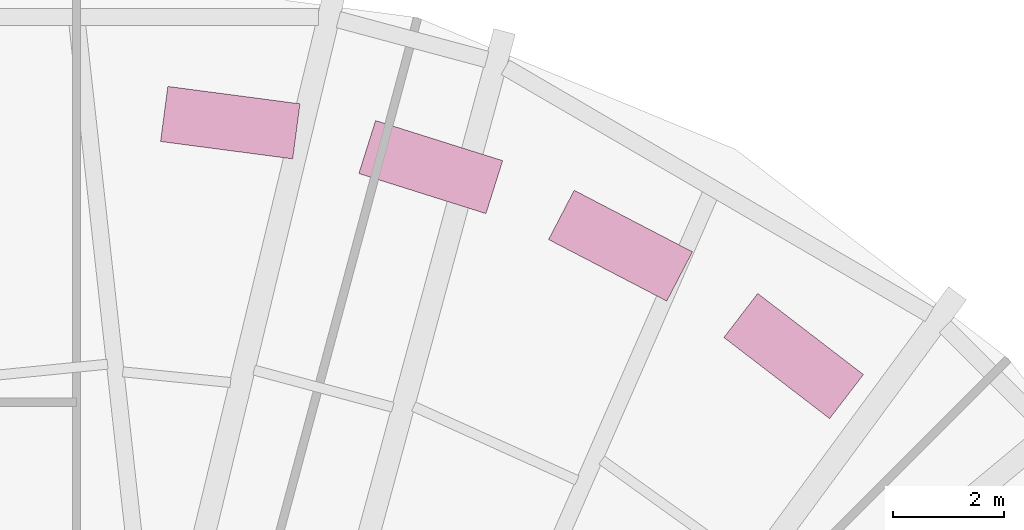
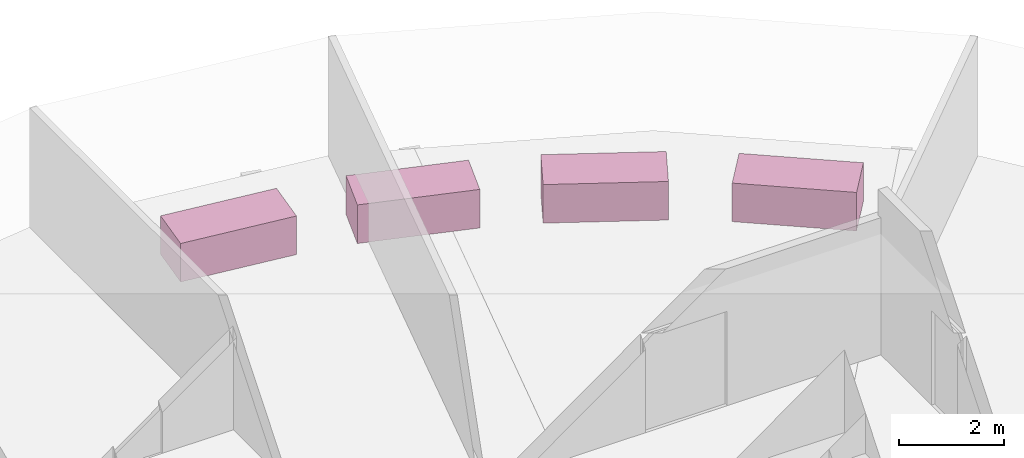
# One storey, part 7 of 7: 4 furniture elements.
"""IFC4 building model written with IfcOpenShell, lengths in metres."""

from ifc_helpers import new_model, si_unit, direction, frame, origin, origin_2d, place, context, subcontext, project, spatial, rectangle, extrude, element, save


model = new_model("IFC4")

# Units and contexts
model_context = context("Model", 3, precision=1e-05, world=origin(), true_north=direction((0.0, 1.0)))
body_context = subcontext(model_context, "Body", "Model", "MODEL_VIEW")
ifc_project = project(units=[si_unit("LENGTHUNIT", "METRE"), si_unit("AREAUNIT", "SQUARE_METRE"), si_unit("VOLUMEUNIT", "CUBIC_METRE"), si_unit("PLANEANGLEUNIT", "RADIAN"), si_unit("MASSUNIT", "GRAM", prefix="KILO")], contexts=[model_context])

# Site, building, storey
site_placement = place(None, origin())
site = spatial("IfcSite", under=ifc_project, at=site_placement, CompositionType="ELEMENT")
building_placement = place(site_placement, origin())
building = spatial("IfcBuilding", under=site, at=building_placement, Name="Golbaran Civic Tower", CompositionType="ELEMENT")
storey_placement = place(building_placement, frame((0.0, 0.0, 65.0)))
storey = spatial("IfcBuildingStorey", under=building, at=storey_placement, Name="L15", CompositionType="ELEMENT", Elevation=65.0)

# Furniture
for number, where, z_axis, x_axis, name in (
    (1, (12.916015625, 16.83251953125, 0.0), (0.0, 0.0, 1.0), (-0.793353340291, 0.608761429009, 0.0), "Sky garden planter L15-1"),
    (2, (9.796875, 18.81982421875, 0.0), (0.0, 0.0, 1.0), (-0.887010833178, 0.461748613235, 0.0), "Sky garden planter L15-2"),
    (3, (6.380126953125, 20.235107421875, 0.0), (0.0, 0.0, 1.0), (-0.953716950748, 0.300705799504, 0.0), "Sky garden planter L15-3"),
    (4, (2.769287109375, 21.035400390625, 0.0), (0.0, 0.0, 1.0), (-0.991444861374, 0.13052619222, 0.0), "Sky garden planter L15-4"),
):
    element("IfcFurniture", number, at=place(storey_placement, frame(where, z_axis=z_axis, x_axis=x_axis)), inside=storey, Name=name, ObjectType="PLANTER", PredefinedType="USERDEFINED", context=body_context, shape_type="SweptSolid", body=[
        extrude(rectangle(XDim=2.39990234375, YDim=1.0, at=origin_2d()), origin(), (0.0, 0.0, 1.0), 0.89990234375),
    ])

save(model, "model.ifc")
